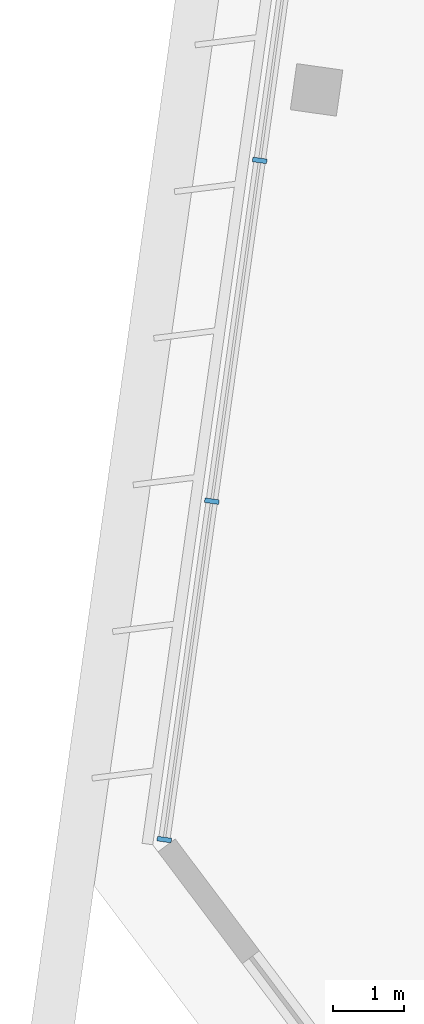
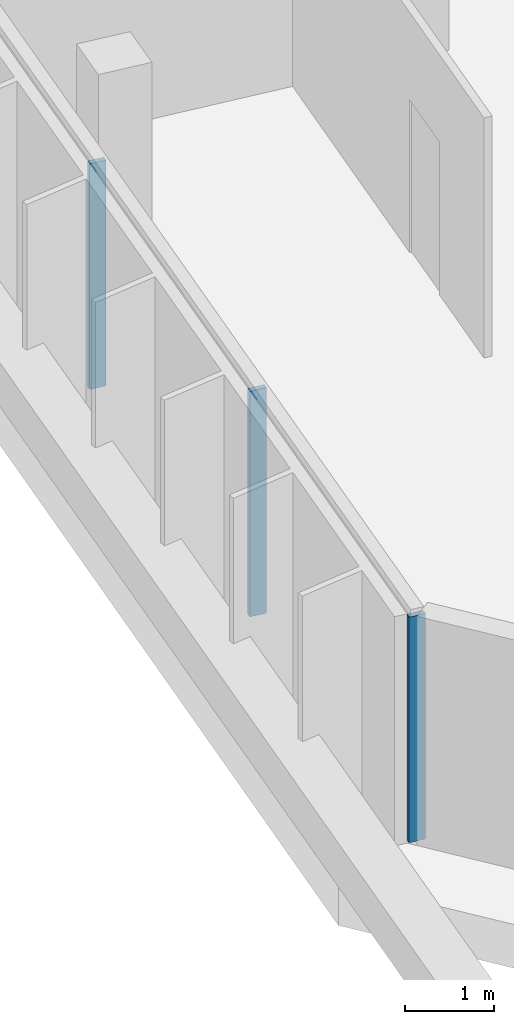
# One storey, part 2 of 34: 3 members, 1 element without a shape of its own.
"""IFC4 building model written with IfcOpenShell, lengths in metres."""

from ifc_helpers import new_model, si_unit, direction, frame, origin, origin_2d, place, context, subcontext, project, spatial, rectangle, extrude, material, material_profile, profile_set, type_object, element, aggregate, save


model = new_model("IFC4")

# Units and contexts
model_context = context("Model", 3, precision=1e-05, world=origin(), true_north=direction((0.0, 1.0)))
body_context = subcontext(model_context, "Body", "Model", "MODEL_VIEW")
ifc_project = project(units=[si_unit("LENGTHUNIT", "METRE"), si_unit("AREAUNIT", "SQUARE_METRE"), si_unit("VOLUMEUNIT", "CUBIC_METRE"), si_unit("PLANEANGLEUNIT", "RADIAN"), si_unit("MASSUNIT", "GRAM", prefix="KILO")], contexts=[model_context])

# Site, building, storey
site_placement = place(None, origin())
site = spatial("IfcSite", under=ifc_project, at=site_placement, CompositionType="ELEMENT")
building_placement = place(site_placement, origin())
building = spatial("IfcBuilding", under=site, at=building_placement, Name="Mirante Cascada Hotel Towers", CompositionType="ELEMENT")
storey_placement = place(building_placement, frame((0.0, 0.0, 148.1)))
storey = spatial("IfcBuildingStorey", under=building, at=storey_placement, Name="L34", CompositionType="ELEMENT", Elevation=148.1)

# Curtain wall, members
ifc_material_1 = material(Name="Aluminium mullion and transom frame with clear laminated glass", Category="aluminium")
curtain_wall_type = type_object("IfcCurtainWallType", Name="End ribbon curtain wall ECW2", PredefinedType="NOTDEFINED", material=ifc_material_1)
curtain_wall_placement = place(storey_placement, origin())
curtain_wall = element("IfcCurtainWall", 1, at=curtain_wall_placement, inside=storey, type_object=curtain_wall_type, Name="Outer end wall T1 L34", PredefinedType="NOTDEFINED")
ifc_material_2 = material(Name="Anodised aluminium extrusion", Category="aluminium")
ifc_material_profile = material_profile(ifc_material_2, rectangle(XDim=0.2, YDim=0.065, at=origin_2d()), Name="ECW2 MULLION 65x200")
ifc_profile_set = profile_set([ifc_material_profile], Name="Anodised aluminium extrusion")
member_type = type_object("IfcMemberType", Name="ECW2 mullion 65x200", PredefinedType="MULLION", material=ifc_profile_set)
member_1_placement = place(storey_placement, frame((-103.1556, -6.2656, 0.1), z_axis=(0.0, 0.0, 1.0), x_axis=(-0.9902681, 0.1391731, 0.0)))
member_1 = element("IfcMember", 2, at=member_1_placement, type_object=member_type, Name="ECW2 mullion 1", PredefinedType="MULLION", context=body_context, shape_type="SweptSolid", body=[
    extrude(rectangle(XDim=0.2, YDim=0.065, at=origin_2d()), origin(), (0.0, 0.0, 1.0), 3.1),
])
member_2_placement = place(storey_placement, frame((-102.4903, -1.532, 0.1), z_axis=(0.0, 0.0, 1.0), x_axis=(-0.9902681, 0.1391731, 0.0)))
member_2 = element("IfcMember", 3, at=member_2_placement, type_object=member_type, Name="ECW2 mullion 2", PredefinedType="MULLION", context=body_context, shape_type="SweptSolid", body=[
    extrude(rectangle(XDim=0.2, YDim=0.065, at=origin_2d()), origin(), (0.0, 0.0, 1.0), 3.1),
])
member_3_placement = place(storey_placement, frame((-101.8205, 3.2338, 0.1), z_axis=(0.0, 0.0, 1.0), x_axis=(-0.9902681, 0.1391731, 0.0)))
member_3 = element("IfcMember", 4, at=member_3_placement, type_object=member_type, Name="ECW2 mullion 3", PredefinedType="MULLION", context=body_context, shape_type="SweptSolid", body=[
    extrude(rectangle(XDim=0.2, YDim=0.065, at=origin_2d()), origin(), (0.0, 0.0, 1.0), 3.1),
])
aggregate(curtain_wall, [member_1, member_2, member_3])

save(model, "model.ifc")
